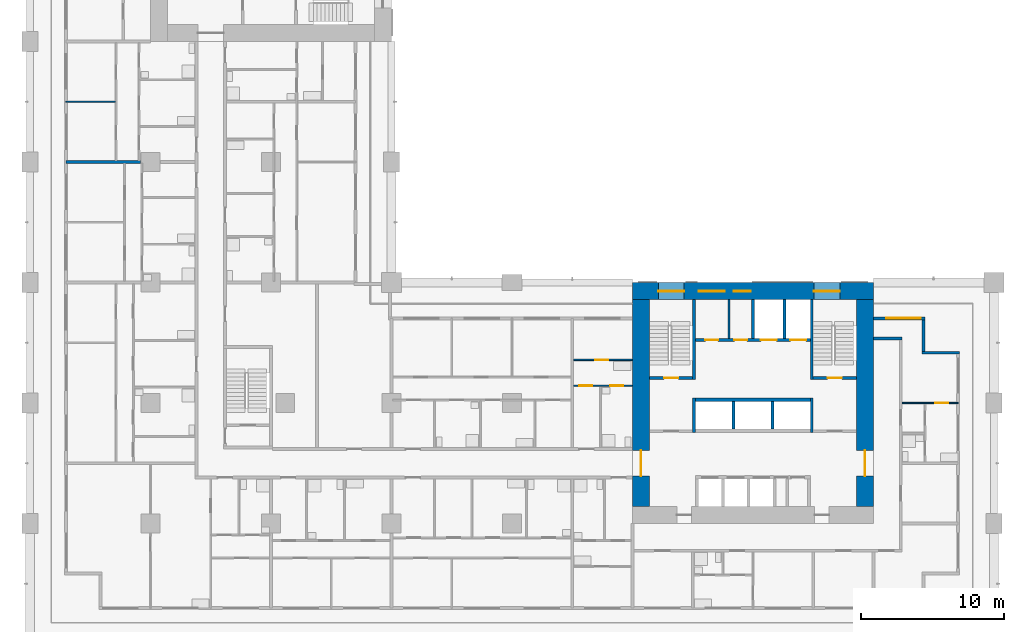
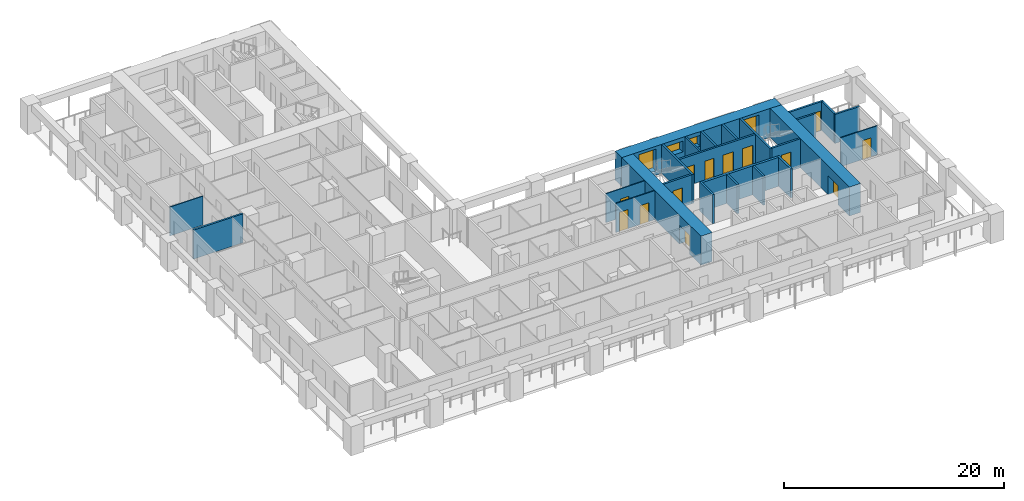
# One storey, part 7 of 19: 25 walls, 13 doors, 4 windows, 17 openings.
"""IFC4 building model written with IfcOpenShell, lengths in metres."""

import ifcopenshell
import ifcopenshell.guid

model = None  # the IFC model being written
_history = None  # IfcOwnerHistory: only IFC2X3 demands one
_inside = {}  # id of a spatial element -> (the spatial element, [elements in it])
_under = {}  # id of a project, library or spatial element -> (it, [spatial elements below it])
_declared = {}  # id of a project -> (the project, [libraries it declares])
_typed = {}  # id of a type object -> (the type object, [elements of that type])
_made_of = {}  # id of a material, layer set ... -> (it, [elements and type objects made of it])


def new_model(schema):
    """Start an empty IFC model of exactly this schema.

    Asked for "IFC4X3", IfcOpenShell would pick the latest addendum, in which some entities
    have other attributes; the version numbers below select the first issue.
    IFC2X3 requires an IfcOwnerHistory on every rooted entity: one is made here for all.
    """
    global model, _history
    if schema == "IFC4X3":
        model = ifcopenshell.file(schema_version=(4, 3, 0, 0))
    else:
        model = ifcopenshell.file(schema=schema)
    _inside.clear()
    _under.clear()
    _declared.clear()
    _typed.clear()
    _made_of.clear()
    _history = None
    if model.schema == "IFC2X3":
        org = make("IfcOrganization", Name="unknown")
        user = make(
            "IfcPersonAndOrganization",
            ThePerson=make("IfcPerson", FamilyName="unknown"),
            TheOrganization=org,
        )
        app = make(
            "IfcApplication",
            ApplicationDeveloper=org,
            Version="unknown",
            ApplicationFullName="unknown",
            ApplicationIdentifier="unknown",
        )
        _history = make(
            "IfcOwnerHistory",
            OwningUser=user,
            OwningApplication=app,
            ChangeAction="ADDED",
            CreationDate=0,
        )
    return model


def make(cls, **values):
    """One entity of the class cls with the attributes given. An attribute that is None is left unset."""
    return model.create_entity(
        cls, **{name: value for name, value in values.items() if value is not None}
    )


def rooted(cls, **values):
    """An entity with a GlobalId (a new one), such as an element, a storey or a relation."""
    return make(cls, GlobalId=ifcopenshell.guid.new(), OwnerHistory=_history, **values)


def si_unit(unit_type, name, prefix=None):
    """IfcSIUnit, for example si_unit("LENGTHUNIT", "METRE", prefix="MILLI")."""
    return make("IfcSIUnit", UnitType=unit_type, Prefix=prefix, Name=name)


def assignment(units):
    """IfcUnitAssignment: the units of a project."""
    return None if units is None else make("IfcUnitAssignment", Units=units)


def point(xyz):
    """IfcCartesianPoint."""
    return None if xyz is None else make("IfcCartesianPoint", Coordinates=xyz)


def direction(xyz):
    """IfcDirection."""
    return None if xyz is None else make("IfcDirection", DirectionRatios=xyz)


def frame(location, z_axis=None, x_axis=None):
    """IfcAxis2Placement3D, a coordinate frame: its origin and axes. An axis left out is left unset."""
    return make(
        "IfcAxis2Placement3D",
        Location=point(location),
        Axis=direction(z_axis),
        RefDirection=direction(x_axis),
    )


def frame_2d(location, x_axis=None):
    """IfcAxis2Placement2D, a coordinate frame in the plane: its origin and x axis."""
    return make(
        "IfcAxis2Placement2D", Location=point(location), RefDirection=direction(x_axis)
    )


def origin():
    """The frame at (0, 0, 0) with its axes left unset."""
    return frame((0.0, 0.0, 0.0))


def place(relative_to, where):
    """IfcLocalPlacement: puts the frame where relative to a parent placement (None: the world)."""
    return make(
        "IfcLocalPlacement", PlacementRelTo=relative_to, RelativePlacement=where
    )


def context(
    kind, dimensions, precision=None, world=None, true_north=None, identifier=None
):
    """IfcGeometricRepresentationContext, for example the 3D "Model" context."""
    return make(
        "IfcGeometricRepresentationContext",
        ContextIdentifier=identifier,
        ContextType=kind,
        CoordinateSpaceDimension=dimensions,
        Precision=precision,
        WorldCoordinateSystem=world,
        TrueNorth=true_north,
    )


def subcontext(parent, identifier, kind, view, scale=None):
    """IfcGeometricRepresentationSubContext, for example "Body" below "Model"."""
    return make(
        "IfcGeometricRepresentationSubContext",
        ContextIdentifier=identifier,
        ContextType=kind,
        ParentContext=parent,
        TargetScale=scale,
        TargetView=view,
    )


def project(units=None, contexts=None):
    """IfcProject with its units and contexts."""
    return rooted(
        "IfcProject",
        Name="project",
        RepresentationContexts=contexts,
        UnitsInContext=assignment(units),
    )


def spatial(cls, under=None, at=None, **own):
    """A site, building, storey or space (cls), placed at a placement, below another one or the project."""
    s = rooted(cls, ObjectPlacement=at, **own)
    if under is not None:
        _under.setdefault(under.id(), (under, []))[1].append(s)
    return s


def profile(cls, at=None, kind="AREA", **sizes):
    """A parametric profile (cls). Its sizes go by their IFC names, for example OverallWidth=200.0."""
    return make(cls, ProfileType=kind, Position=at, **sizes)


def rectangle(**sizes):
    """IfcRectangleProfileDef."""
    return profile("IfcRectangleProfileDef", **sizes)


def extrude(swept, where, along, depth):
    """IfcExtrudedAreaSolid: the profile swept, set in the frame where, extruded along a direction by depth."""
    return make(
        "IfcExtrudedAreaSolid",
        SweptArea=swept,
        Position=where,
        ExtrudedDirection=direction(along),
        Depth=depth,
    )


def shape(context_of_items, identifier, shape_type, items):
    """IfcShapeRepresentation: the items that make up one representation, for example the "Body"."""
    return make(
        "IfcShapeRepresentation",
        ContextOfItems=context_of_items,
        RepresentationIdentifier=identifier,
        RepresentationType=shape_type,
        Items=items,
    )


def material(Name=None, Category=None):
    """IfcMaterial."""
    return make("IfcMaterial", Name=Name, Category=Category)


def layer(
    of_material, thickness, ventilated=None, Name=None, Category=None, Priority=None
):
    """IfcMaterialLayer: one layer of a wall or slab, of a material (None: an air gap)."""
    return make(
        "IfcMaterialLayer",
        Material=of_material,
        LayerThickness=thickness,
        IsVentilated=ventilated,
        Name=Name,
        Category=Category,
        Priority=Priority,
    )


def layer_set(layers, Name=None):
    """IfcMaterialLayerSet."""
    return make("IfcMaterialLayerSet", MaterialLayers=layers, LayerSetName=Name)


def made_of(thing, what):
    """Note that an element or type object is made of a material, layer set ...; save() writes the relation."""
    if what is not None:
        _made_of.setdefault(what.id(), (what, []))[1].append(thing)
    return thing


def type_object(cls, material=None, **own):
    """A type object (cls), such as IfcWallType, which elements share."""
    return made_of(rooted(cls, **own), material)


def element(
    cls,
    number,
    at=None,
    inside=None,
    cuts=None,
    type_object=None,
    material=None,
    context=None,
    identifier="Body",
    shape_type=None,
    held_by="IfcProductDefinitionShape",
    body=None,
    shapes=None,
    **own,
):
    """One element of the class cls, such as IfcWall. Its Tag is "e" and its number.

    at: its placement. inside: the storey or other place that contains it. cuts: it is an
    opening in that element (IfcRelVoidsElement). A single representation is given by context,
    identifier, shape_type and body (its items); several are given by shapes. held_by: the class
    of the entity that holds the representations. save() writes the other relations.
    """
    e = rooted(cls, Tag="e%d" % number, ObjectPlacement=at, **own)
    if body is not None:
        shapes = [shape(context, identifier, shape_type, body)]
    if shapes is not None:
        e.Representation = make(held_by, Representations=shapes)
    if inside is not None:
        _inside.setdefault(inside.id(), (inside, []))[1].append(e)
    if cuts is not None:
        rooted(
            "IfcRelVoidsElement", RelatingBuildingElement=cuts, RelatedOpeningElement=e
        )
    if type_object is not None:
        _typed.setdefault(type_object.id(), (type_object, []))[1].append(e)
    return made_of(e, material)


def fill(opening, filler):
    """IfcRelFillsElement: the door or window that sits in an opening."""
    return rooted(
        "IfcRelFillsElement",
        RelatingOpeningElement=opening,
        RelatedBuildingElement=filler,
    )


def aggregate(whole, parts):
    """IfcRelAggregates: a whole, such as a stair, and the parts it consists of."""
    return rooted("IfcRelAggregates", RelatingObject=whole, RelatedObjects=parts)


def save(model, path):
    """Write the relations noted so far, then the file.

    IfcRelAggregates (storeys below a building ...), IfcRelContainedInSpatialStructure (elements
    in a storey), IfcRelDefinesByType, IfcRelAssociatesMaterial and IfcRelDeclares: one each for
    every whole, place, type object, material and project.
    """
    for whole, parts in _under.values():
        aggregate(whole, parts)
    for where, things in _inside.values():
        rooted(
            "IfcRelContainedInSpatialStructure",
            RelatedElements=things,
            RelatingStructure=where,
        )
    for kind, things in _typed.values():
        rooted("IfcRelDefinesByType", RelatedObjects=things, RelatingType=kind)
    for what, things in _made_of.values():
        rooted("IfcRelAssociatesMaterial", RelatedObjects=things, RelatingMaterial=what)
    for by, libraries in _declared.values():
        rooted("IfcRelDeclares", RelatingContext=by, RelatedDefinitions=libraries)
    model.write(path)


model = new_model("IFC4")

# Units and contexts
model_context = context("Model", 3, precision=1e-05, world=origin(), true_north=direction((0.0, 1.0)))
body_context = subcontext(model_context, "Body", "Model", "MODEL_VIEW")
ifc_project = project(units=[si_unit("LENGTHUNIT", "METRE"), si_unit("AREAUNIT", "SQUARE_METRE"), si_unit("VOLUMEUNIT", "CUBIC_METRE"), si_unit("PLANEANGLEUNIT", "RADIAN"), si_unit("MASSUNIT", "GRAM", prefix="KILO")], contexts=[model_context])

# Site, building, storey
site_placement = place(None, origin())
site = spatial("IfcSite", under=ifc_project, at=site_placement, CompositionType="ELEMENT")
building_placement = place(site_placement, origin())
building = spatial("IfcBuilding", under=site, at=building_placement, Name="Vermilion Gate Residences", CompositionType="ELEMENT")
storey_placement = place(building_placement, frame((0.0, 0.0, 46.199951171875)))
storey = spatial("IfcBuildingStorey", under=building, at=storey_placement, Name="L10", CompositionType="ELEMENT", Elevation=46.199951171875)

# Walls
ifc_material_1 = material(Name="Masonry blockwork", Category="masonry")
ifc_layer_1 = layer(ifc_material_1, 0.14990234375)
ifc_layer_set_1 = layer_set([ifc_layer_1], Name="BLOCKWORK PARTITION 150 EI 120")
wall_type_1 = type_object("IfcWallType", Name="BLOCKWORK PARTITION 150 EI 120", PredefinedType="PARTITIONING", material=ifc_layer_set_1)
wall_1_placement = place(storey_placement, frame((48.72509765625, 21.300048828125, 0.0), z_axis=(0.0, 0.0, 1.0), x_axis=(0.0, 1.0, 0.0)))
element("IfcWall", 1, at=wall_1_placement, inside=storey, type_object=wall_type_1, Name="Core room partition A10-NR-P0", PredefinedType="PARTITIONING", context=body_context, shape_type="SweptSolid", body=[
    extrude(rectangle(XDim=2.699951171875, YDim=0.14990234375, at=frame_2d((1.35009765625, 0.0))), origin(), (0.0, 0.0, 1.0), 3.219970703125),
])
ifc_material_2 = material(Name="Insulated steel stud wall with terracotta rainscreen", Category="masonry")
ifc_layer_2 = layer(ifc_material_2, 0.199951171875)
ifc_layer_set_2 = layer_set([ifc_layer_2], Name="EXTERNAL WALL 200 TERRACOTTA RAINSCREEN")
wall_type_2 = type_object("IfcWallType", Name="EXTERNAL WALL 200 TERRACOTTA RAINSCREEN", PredefinedType="SOLIDWALL", material=ifc_layer_set_2)
wall_2_placement = place(storey_placement, frame((64.800048828125, 20.300048828125, 0.0), z_axis=(0.0, 0.0, 1.0), x_axis=(-1.0, 0.0, 0.0)))
element("IfcWall", 2, at=wall_2_placement, inside=storey, type_object=wall_type_2, Name="External wall", PredefinedType="SOLIDWALL", context=body_context, shape_type="SweptSolid", body=[
    extrude(rectangle(XDim=2.60009765625, YDim=0.199951171875, at=frame_2d((1.300048828125, 0.0))), origin(), (0.0, 0.0, 1.0), 3.219970703125),
])
wall_3_placement = place(storey_placement, frame((62.300048828125, 20.39990234375, 0.0), z_axis=(0.0, 0.0, 1.0), x_axis=(0.0, 1.0, 0.0)))
element("IfcWall", 3, at=wall_3_placement, inside=storey, type_object=wall_type_2, Name="External wall", PredefinedType="SOLIDWALL", context=body_context, shape_type="SweptSolid", body=[
    extrude(rectangle(XDim=2.2001953125, YDim=0.199951171875, at=frame_2d((1.10009765625, 0.0))), origin(), (0.0, 0.0, 1.0), 3.219970703125),
])

# Wall, opening, door
wall_4_placement = place(storey_placement, frame((62.39990234375, 22.699951171875, 0.0), z_axis=(0.0, 0.0, 1.0), x_axis=(-1.0, 0.0, 0.0)))
wall_4 = element("IfcWall", 4, at=wall_4_placement, inside=storey, type_object=wall_type_2, Name="External wall", PredefinedType="SOLIDWALL", context=body_context, shape_type="SweptSolid", body=[
    extrude(rectangle(XDim=3.599853515625, YDim=0.199951171875, at=frame_2d((1.7998046875, 0.0))), origin(), (0.0, 0.0, 1.0), 3.219970703125),
])
opening_1_placement = place(wall_4_placement, frame((0.300048828125, 0.0, 0.0)))
opening_1 = element("IfcOpeningElement", 5, at=opening_1_placement, cuts=wall_4, Name="Opening DE10032", PredefinedType="OPENING", context=body_context, shape_type="SweptSolid", body=[
    extrude(rectangle(XDim=2.39990234375, YDim=2.199951171875, at=frame_2d((1.199951171875, 1.10009765625))), frame((0.0, 0.10986328125, 0.0), z_axis=(0.0, -1.0, 0.0), x_axis=(1.0, 0.0, 0.0)), (0.0, 0.0, 1.0), 0.219970703125),
])
ifc_material_3 = material(Name="Aluminium and clear glass", Category="aluminium")
door_type_1 = type_object("IfcDoorType", Name="SLIDING GLAZED DOOR 2400 X 2200", OperationType="DOUBLE_DOOR_SLIDING", PredefinedType="DOOR", material=ifc_material_3)
door_1_placement = place(opening_1_placement, origin())
door_1 = element("IfcDoor", 6, at=door_1_placement, inside=storey, type_object=door_type_1, Name="Loggia sliding door", OperationType="DOUBLE_DOOR_SLIDING", OverallHeight=2.199951171875, OverallWidth=2.39990234375, PredefinedType="DOOR", context=body_context, shape_type="SweptSolid", body=[
    extrude(rectangle(XDim=2.39990234375, YDim=2.199951171875, at=frame_2d((1.199951171875, 1.10009765625))), frame((0.0, 0.02490234375, 0.0), z_axis=(0.0, -1.0, 0.0), x_axis=(1.0, 0.0, 0.0)), (0.0, 0.0, 1.0), 0.050048828125),
])
fill(opening_1, door_1)

ifc_material_4 = material(Name="Plasterboard on steel studs", Category="steel")
ifc_layer_3 = layer(ifc_material_4, 0.10009765625)
ifc_layer_set_3 = layer_set([ifc_layer_3], Name="PARTITION 100")
wall_type_3 = type_object("IfcWallType", Name="PARTITION 100", PredefinedType="PARTITIONING", material=ifc_layer_set_3)
wall_5_placement = place(storey_placement, frame((60.800048828125, 16.800048828125, 0.0), z_axis=(0.0, 0.0, 1.0), x_axis=(1.0, 0.0, 0.0)))
wall_5 = element("IfcWall", 7, at=wall_5_placement, inside=storey, type_object=wall_type_3, Name="Partition", PredefinedType="PARTITIONING", context=body_context, shape_type="SweptSolid", body=[
    extrude(rectangle(XDim=3.89990234375, YDim=0.10009765625, at=frame_2d((1.949951171875, 0.0))), origin(), (0.0, 0.0, 1.0), 3.219970703125),
])
opening_2_placement = place(wall_5_placement, frame((2.300048828125, 0.0, 0.0)))
opening_2 = element("IfcOpeningElement", 8, at=opening_2_placement, cuts=wall_5, Name="Opening DA10031", PredefinedType="OPENING", context=body_context, shape_type="SweptSolid", body=[
    extrude(rectangle(XDim=0.89990234375, YDim=2.10009765625, at=frame_2d((0.449951171875, 1.050048828125))), frame((0.0, 0.06005859375, 0.0), z_axis=(0.0, -1.0, 0.0), x_axis=(1.0, 0.0, 0.0)), (0.0, 0.0, 1.0), 0.1201171875),
])
ifc_material_5 = material(Name="Timber", Category="wood")
door_type_2 = type_object("IfcDoorType", Name="INTERIOR DOOR 900 X 2100", OperationType="SINGLE_SWING_LEFT", PredefinedType="DOOR", material=ifc_material_5)
door_2_placement = place(opening_2_placement, frame((0.89990234375, 0.0, 0.0), z_axis=(0.0, 0.0, 1.0), x_axis=(-1.0, 0.0, 0.0)))
door_2 = element("IfcDoor", 9, at=door_2_placement, inside=storey, type_object=door_type_2, Name="Interior door", OperationType="SINGLE_SWING_LEFT", OverallHeight=2.10009765625, OverallWidth=0.89990234375, PredefinedType="DOOR", context=body_context, shape_type="SweptSolid", body=[
    extrude(rectangle(XDim=0.89990234375, YDim=2.10009765625, at=frame_2d((0.449951171875, 1.050048828125))), frame((0.0, 0.02490234375, 0.0), z_axis=(0.0, -1.0, 0.0), x_axis=(1.0, 0.0, 0.0)), (0.0, 0.0, 1.0), 0.050048828125),
])
fill(opening_2, door_2)

# Wall, openings, doors
wall_6_placement = place(storey_placement, frame((37.89990234375, 18.0, 0.0), z_axis=(0.0, 0.0, 1.0), x_axis=(1.0, 0.0, 0.0)))
wall_6 = element("IfcWall", 10, at=wall_6_placement, inside=storey, type_object=wall_type_3, Name="Partition", PredefinedType="PARTITIONING", context=body_context, shape_type="SweptSolid", body=[
    extrude(rectangle(XDim=4.10009765625, YDim=0.10009765625, at=frame_2d((2.050048828125, 0.0))), origin(), (0.0, 0.0, 1.0), 3.219970703125),
])
opening_3_placement = place(wall_6_placement, frame((0.39990234375, 0.0, 0.0)))
opening_3 = element("IfcOpeningElement", 11, at=opening_3_placement, cuts=wall_6, Name="Opening DA10036", PredefinedType="OPENING", context=body_context, shape_type="SweptSolid", body=[
    extrude(rectangle(XDim=0.89990234375, YDim=2.10009765625, at=frame_2d((0.449951171875, 1.050048828125))), frame((0.0, 0.06005859375, 0.0), z_axis=(0.0, -1.0, 0.0), x_axis=(1.0, 0.0, 0.0)), (0.0, 0.0, 1.0), 0.1201171875),
])
opening_4_placement = place(wall_6_placement, frame((2.56005859375, 0.0, 0.0)))
opening_4 = element("IfcOpeningElement", 12, at=opening_4_placement, cuts=wall_6, Name="Opening DA10037", PredefinedType="OPENING", context=body_context, shape_type="SweptSolid", body=[
    extrude(rectangle(XDim=0.89990234375, YDim=2.10009765625, at=frame_2d((0.449951171875, 1.050048828125))), frame((0.0, 0.06005859375, 0.0), z_axis=(0.0, -1.0, 0.0), x_axis=(1.0, 0.0, 0.0)), (0.0, 0.0, 1.0), 0.1201171875),
])
door_3_placement = place(opening_3_placement, origin())
door_3 = element("IfcDoor", 13, at=door_3_placement, inside=storey, type_object=door_type_2, Name="Interior door", OperationType="SINGLE_SWING_LEFT", OverallHeight=2.10009765625, OverallWidth=0.89990234375, PredefinedType="DOOR", context=body_context, shape_type="SweptSolid", body=[
    extrude(rectangle(XDim=0.89990234375, YDim=2.10009765625, at=frame_2d((0.449951171875, 1.050048828125))), frame((0.0, 0.02490234375, 0.0), z_axis=(0.0, -1.0, 0.0), x_axis=(1.0, 0.0, 0.0)), (0.0, 0.0, 1.0), 0.050048828125),
])
fill(opening_3, door_3)
door_4_placement = place(opening_4_placement, origin())
door_4 = element("IfcDoor", 14, at=door_4_placement, inside=storey, type_object=door_type_2, Name="Interior door", OperationType="SINGLE_SWING_RIGHT", OverallHeight=2.10009765625, OverallWidth=0.89990234375, PredefinedType="DOOR", context=body_context, shape_type="SweptSolid", body=[
    extrude(rectangle(XDim=0.89990234375, YDim=2.10009765625, at=frame_2d((0.449951171875, 1.050048828125))), frame((0.0, 0.02490234375, 0.0), z_axis=(0.0, -1.0, 0.0), x_axis=(1.0, 0.0, 0.0)), (0.0, 0.0, 1.0), 0.050048828125),
])
fill(opening_4, door_4)

# Wall, opening, door
wall_7_placement = place(storey_placement, frame((37.89990234375, 19.800048828125, 0.0), z_axis=(0.0, 0.0, 1.0), x_axis=(1.0, 0.0, 0.0)))
wall_7 = element("IfcWall", 15, at=wall_7_placement, inside=storey, type_object=wall_type_3, Name="Partition", PredefinedType="PARTITIONING", context=body_context, shape_type="SweptSolid", body=[
    extrude(rectangle(XDim=4.10009765625, YDim=0.10009765625, at=frame_2d((2.050048828125, 0.0))), origin(), (0.0, 0.0, 1.0), 3.219970703125),
])
opening_5_placement = place(wall_7_placement, frame((1.5, 0.0, 0.0)))
opening_5 = element("IfcOpeningElement", 16, at=opening_5_placement, cuts=wall_7, Name="Opening DA10041", PredefinedType="OPENING", context=body_context, shape_type="SweptSolid", body=[
    extrude(rectangle(XDim=0.89990234375, YDim=2.10009765625, at=frame_2d((0.449951171875, 1.050048828125))), frame((0.0, 0.06005859375, 0.0), z_axis=(0.0, -1.0, 0.0), x_axis=(1.0, 0.0, 0.0)), (0.0, 0.0, 1.0), 0.1201171875),
])
door_5_placement = place(opening_5_placement, frame((0.89990234375, 0.0, 0.0), z_axis=(0.0, 0.0, 1.0), x_axis=(-1.0, 0.0, 0.0)))
door_5 = element("IfcDoor", 17, at=door_5_placement, inside=storey, type_object=door_type_2, Name="Interior door", OperationType="SINGLE_SWING_LEFT", OverallHeight=2.10009765625, OverallWidth=0.89990234375, PredefinedType="DOOR", context=body_context, shape_type="SweptSolid", body=[
    extrude(rectangle(XDim=0.89990234375, YDim=2.10009765625, at=frame_2d((0.449951171875, 1.050048828125))), frame((0.0, 0.02490234375, 0.0), z_axis=(0.0, -1.0, 0.0), x_axis=(1.0, 0.0, 0.0)), (0.0, 0.0, 1.0), 0.050048828125),
])
fill(opening_5, door_5)

# Walls
wall_8_placement = place(storey_placement, frame((2.5, 37.800048828125, 0.0), z_axis=(0.0, 0.0, 1.0), x_axis=(1.0, 0.0, 0.0)))
element("IfcWall", 18, at=wall_8_placement, inside=storey, type_object=wall_type_3, Name="Partition", PredefinedType="PARTITIONING", context=body_context, shape_type="SweptSolid", body=[
    extrude(rectangle(XDim=3.449951171875, YDim=0.10009765625, at=frame_2d((1.72509765625, 0.0))), origin(), (0.0, 0.0, 1.0), 3.219970703125),
])
ifc_material_6 = material(Name="Fire-rated plasterboard on steel studs", Category="steel")
ifc_layer_4 = layer(ifc_material_6, 0.199951171875)
ifc_layer_set_4 = layer_set([ifc_layer_4], Name="PARTY WALL 200 EI 120")
wall_type_4 = type_object("IfcWallType", Name="PARTY WALL 200 EI 120", PredefinedType="PARTITIONING", material=ifc_layer_set_4)
wall_9_placement = place(storey_placement, frame((58.800048828125, 21.300048828125, 0.0), z_axis=(0.0, 0.0, 1.0), x_axis=(1.0, 0.0, 0.0)))
element("IfcWall", 19, at=wall_9_placement, inside=storey, type_object=wall_type_4, Name="Party and corridor wall", PredefinedType="PARTITIONING", context=body_context, shape_type="SweptSolid", body=[
    extrude(rectangle(XDim=2.0, YDim=0.199951171875, at=frame_2d((1.0, 0.0))), origin(), (0.0, 0.0, 1.0), 3.219970703125),
])
wall_10_placement = place(storey_placement, frame((2.5, 33.60009765625, 0.0), z_axis=(0.0, 0.0, 1.0), x_axis=(1.0, 0.0, 0.0)))
element("IfcWall", 20, at=wall_10_placement, inside=storey, type_object=wall_type_4, Name="Party and corridor wall", PredefinedType="PARTITIONING", context=body_context, shape_type="SweptSolid", body=[
    extrude(rectangle(XDim=5.199951171875, YDim=0.199951171875, at=frame_2d((2.60009765625, 0.0))), origin(), (0.0, 0.0, 1.0), 3.219970703125),
])
ifc_material_7 = material(Name="Concrete C60", Category="concrete")
ifc_layer_5 = layer(ifc_material_7, 0.199951171875)
ifc_layer_set_5 = layer_set([ifc_layer_5], Name="RC CORE INTERNAL WALL 200 C60")
wall_type_5 = type_object("IfcWallType", Name="RC CORE INTERNAL WALL 200 C60", PredefinedType="SHEAR", material=ifc_layer_set_5)
for number, where, z_axis, x_axis, name in (
    (21, (49.033447265625, 15.0, 0.0), (0.0, 0.0, 1.0), (0.0, 1.0, 0.0), "Core internal wall A10-HR-D1"),
    (22, (51.7666015625, 15.0, 0.0), (0.0, 0.0, 1.0), (0.0, 1.0, 0.0), "Core internal wall A10-HR-D2"),
):
    element("IfcWall", number, at=place(storey_placement, frame(where, z_axis=z_axis, x_axis=x_axis)), inside=storey, type_object=wall_type_5, Name=name, PredefinedType="SHEAR", context=body_context, shape_type="SweptSolid", body=[
        extrude(rectangle(XDim=1.89990234375, YDim=0.199951171875, at=frame_2d((0.949951171875, 0.0))), origin(), (0.0, 0.0, 1.0), 3.219970703125),
    ])
for number, where, z_axis, x_axis, name in (
    (23, (50.39990234375, 21.300048828125, 0.0), (0.0, 0.0, 1.0), (0.0, 1.0, 0.0), "Core internal wall A10-FF-D0"),
    (24, (52.60009765625, 21.300048828125, 0.0), (0.0, 0.0, 1.0), (0.0, 1.0, 0.0), "Core internal wall A10-FF-D1"),
):
    element("IfcWall", number, at=place(storey_placement, frame(where, z_axis=z_axis, x_axis=x_axis)), inside=storey, type_object=wall_type_5, Name=name, PredefinedType="SHEAR", context=body_context, shape_type="SweptSolid", body=[
        extrude(rectangle(XDim=2.699951171875, YDim=0.199951171875, at=frame_2d((1.35009765625, 0.0))), origin(), (0.0, 0.0, 1.0), 3.219970703125),
    ])

# Wall, openings, doors
wall_11_placement = place(storey_placement, frame((46.39990234375, 21.199951171875, 0.0), z_axis=(0.0, 0.0, 1.0), x_axis=(1.0, 0.0, 0.0)))
wall_11 = element("IfcWall", 25, at=wall_11_placement, inside=storey, type_object=wall_type_5, Name="Core internal wall A10-FF-F", PredefinedType="SHEAR", context=body_context, shape_type="SweptSolid", body=[
    extrude(rectangle(XDim=8.0, YDim=0.199951171875, at=frame_2d((4.0, 0.0))), origin(), (0.0, 0.0, 1.0), 3.219970703125),
])
opening_6_placement = place(wall_11_placement, frame((0.675048828125, 0.0, 0.0)))
opening_6 = element("IfcOpeningElement", 26, at=opening_6_placement, cuts=wall_11, Name="Opening DK10010", PredefinedType="OPENING", context=body_context, shape_type="SweptSolid", body=[
    extrude(rectangle(XDim=0.89990234375, YDim=2.10009765625, at=frame_2d((0.449951171875, 1.050048828125))), frame((0.0, 0.10986328125, 0.0), z_axis=(0.0, -1.0, 0.0), x_axis=(1.0, 0.0, 0.0)), (0.0, 0.0, 1.0), 0.219970703125),
])
opening_7_placement = place(wall_11_placement, frame((2.699951171875, 0.0, 0.0)))
opening_7 = element("IfcOpeningElement", 27, at=opening_7_placement, cuts=wall_11, Name="Opening DK10011", PredefinedType="OPENING", context=body_context, shape_type="SweptSolid", body=[
    extrude(rectangle(XDim=0.89990234375, YDim=2.10009765625, at=frame_2d((0.449951171875, 1.050048828125))), frame((0.0, 0.10986328125, 0.0), z_axis=(0.0, -1.0, 0.0), x_axis=(1.0, 0.0, 0.0)), (0.0, 0.0, 1.0), 0.219970703125),
])
opening_8_placement = place(wall_11_placement, frame((4.550048828125, 0.0, 0.0)))
opening_8 = element("IfcOpeningElement", 28, at=opening_8_placement, cuts=wall_11, Name="Opening LD", PredefinedType="OPENING", context=body_context, shape_type="SweptSolid", body=[
    extrude(rectangle(XDim=1.10009765625, YDim=2.10009765625, at=frame_2d((0.550048828125, 1.050048828125))), frame((0.0, 0.10986328125, 0.0), z_axis=(0.0, -1.0, 0.0), x_axis=(1.0, 0.0, 0.0)), (0.0, 0.0, 1.0), 0.219970703125),
])
opening_9_placement = place(wall_11_placement, frame((6.60009765625, 0.0, 0.0)))
opening_9 = element("IfcOpeningElement", 29, at=opening_9_placement, cuts=wall_11, Name="Opening LD", PredefinedType="OPENING", context=body_context, shape_type="SweptSolid", body=[
    extrude(rectangle(XDim=1.10009765625, YDim=2.10009765625, at=frame_2d((0.550048828125, 1.050048828125))), frame((0.0, 0.10986328125, 0.0), z_axis=(0.0, -1.0, 0.0), x_axis=(1.0, 0.0, 0.0)), (0.0, 0.0, 1.0), 0.219970703125),
])
ifc_material_8 = material(Name="Stainless steel", Category="steel")
door_type_3 = type_object("IfcDoorType", Name="LIFT LANDING DOOR E60 1100 X 2100", OperationType="DOUBLE_DOOR_SLIDING", PredefinedType="DOOR", material=ifc_material_8)
door_6_placement = place(opening_8_placement, origin())
door_6 = element("IfcDoor", 30, at=door_6_placement, inside=storey, type_object=door_type_3, Name="Lift landing door LFA1", OperationType="DOUBLE_DOOR_SLIDING", OverallHeight=2.10009765625, OverallWidth=1.10009765625, PredefinedType="DOOR", context=body_context, shape_type="SweptSolid", body=[
    extrude(rectangle(XDim=1.10009765625, YDim=2.10009765625, at=frame_2d((0.550048828125, 1.050048828125))), frame((0.0, 0.02490234375, 0.0), z_axis=(0.0, -1.0, 0.0), x_axis=(1.0, 0.0, 0.0)), (0.0, 0.0, 1.0), 0.050048828125),
])
fill(opening_8, door_6)
door_7_placement = place(opening_9_placement, origin())
door_7 = element("IfcDoor", 31, at=door_7_placement, inside=storey, type_object=door_type_3, Name="Lift landing door LCA1", OperationType="DOUBLE_DOOR_SLIDING", OverallHeight=2.10009765625, OverallWidth=1.10009765625, PredefinedType="DOOR", context=body_context, shape_type="SweptSolid", body=[
    extrude(rectangle(XDim=1.10009765625, YDim=2.10009765625, at=frame_2d((0.550048828125, 1.050048828125))), frame((0.0, 0.02490234375, 0.0), z_axis=(0.0, -1.0, 0.0), x_axis=(1.0, 0.0, 0.0)), (0.0, 0.0, 1.0), 0.050048828125),
])
fill(opening_9, door_7)
ifc_material_9 = material(Name="Steel", Category="steel")
door_type_4 = type_object("IfcDoorType", Name="SERVICE ROOM DOOR FD60 900 X 2100", OperationType="SINGLE_SWING_LEFT", PredefinedType="DOOR", material=ifc_material_9)
door_8_placement = place(opening_6_placement, origin())
door_8 = element("IfcDoor", 32, at=door_8_placement, inside=storey, type_object=door_type_4, Name="Parcel room A10", OperationType="SINGLE_SWING_LEFT", OverallHeight=2.10009765625, OverallWidth=0.89990234375, PredefinedType="DOOR", context=body_context, shape_type="SweptSolid", body=[
    extrude(rectangle(XDim=0.89990234375, YDim=2.10009765625, at=frame_2d((0.449951171875, 1.050048828125))), frame((0.0, 0.02490234375, 0.0), z_axis=(0.0, -1.0, 0.0), x_axis=(1.0, 0.0, 0.0)), (0.0, 0.0, 1.0), 0.050048828125),
])
fill(opening_6, door_8)
door_9_placement = place(opening_7_placement, frame((0.89990234375, 0.0, 0.0), z_axis=(0.0, 0.0, 1.0), x_axis=(-1.0, 0.0, 0.0)))
door_9 = element("IfcDoor", 33, at=door_9_placement, inside=storey, type_object=door_type_4, Name="Electrical room A10", OperationType="SINGLE_SWING_RIGHT", OverallHeight=2.10009765625, OverallWidth=0.89990234375, PredefinedType="DOOR", context=body_context, shape_type="SweptSolid", body=[
    extrude(rectangle(XDim=0.89990234375, YDim=2.10009765625, at=frame_2d((0.449951171875, 1.050048828125))), frame((0.0, 0.02490234375, 0.0), z_axis=(0.0, -1.0, 0.0), x_axis=(1.0, 0.0, 0.0)), (0.0, 0.0, 1.0), 0.050048828125),
])
fill(opening_7, door_9)

# Walls
wall_12_placement = place(storey_placement, frame((46.300048828125, 14.75, 0.0), z_axis=(0.0, 0.0, 1.0), x_axis=(0.0, 1.0, 0.0)))
element("IfcWall", 34, at=wall_12_placement, inside=storey, type_object=wall_type_5, Name="Core internal wall A10-WDIV1", PredefinedType="SHEAR", context=body_context, shape_type="SweptSolid", body=[
    extrude(rectangle(XDim=2.39990234375, YDim=0.199951171875, at=frame_2d((1.199951171875, 0.0))), origin(), (0.0, 0.0, 1.0), 3.219970703125),
])
wall_13_placement = place(storey_placement, frame((46.300048828125, 18.449951171875, 0.0), z_axis=(0.0, 0.0, 1.0), x_axis=(0.0, 1.0, 0.0)))
element("IfcWall", 35, at=wall_13_placement, inside=storey, type_object=wall_type_5, Name="Core internal wall A10-WDIV2", PredefinedType="SHEAR", context=body_context, shape_type="SweptSolid", body=[
    extrude(rectangle(XDim=5.550048828125, YDim=0.199951171875, at=frame_2d((2.77490234375, 0.0))), origin(), (0.0, 0.0, 1.0), 3.219970703125),
])

# Wall, opening, door
wall_14_placement = place(storey_placement, frame((43.199951171875, 18.550048828125, 0.0), z_axis=(0.0, 0.0, 1.0), x_axis=(1.0, 0.0, 0.0)))
wall_14 = element("IfcWall", 36, at=wall_14_placement, inside=storey, type_object=wall_type_5, Name="Core internal wall A10-STW-S", PredefinedType="SHEAR", context=body_context, shape_type="SweptSolid", body=[
    extrude(rectangle(XDim=3.0, YDim=0.199951171875, at=frame_2d((1.5, 0.0))), origin(), (0.0, 0.0, 1.0), 3.219970703125),
])
opening_10_placement = place(wall_14_placement, frame((1.0, 0.0, 0.0)))
opening_10 = element("IfcOpeningElement", 37, at=opening_10_placement, cuts=wall_14, Name="Opening DK10015", PredefinedType="OPENING", context=body_context, shape_type="SweptSolid", body=[
    extrude(rectangle(XDim=1.0, YDim=2.10009765625, at=frame_2d((0.5, 1.050048828125))), frame((0.0, 0.10986328125, 0.0), z_axis=(0.0, -1.0, 0.0), x_axis=(1.0, 0.0, 0.0)), (0.0, 0.0, 1.0), 0.219970703125),
])
ifc_material_10 = material(Name="Steel", Category="steel")
door_type_5 = type_object("IfcDoorType", Name="FIRE DOOR FD60 1000 X 2100", OperationType="SINGLE_SWING_LEFT", PredefinedType="DOOR", material=ifc_material_10)
door_10_placement = place(opening_10_placement, origin())
door_10 = element("IfcDoor", 38, at=door_10_placement, inside=storey, type_object=door_type_5, Name="Stair door A10", OperationType="SINGLE_SWING_LEFT", OverallHeight=2.10009765625, OverallWidth=1.0, PredefinedType="DOOR", context=body_context, shape_type="SweptSolid", body=[
    extrude(rectangle(XDim=1.0, YDim=2.10009765625, at=frame_2d((0.5, 1.050048828125))), frame((0.0, 0.02490234375, 0.0), z_axis=(0.0, -1.0, 0.0), x_axis=(1.0, 0.0, 0.0)), (0.0, 0.0, 1.0), 0.050048828125),
])
fill(opening_10, door_10)

# Walls
wall_15_placement = place(storey_placement, frame((54.5, 14.75, 0.0), z_axis=(0.0, 0.0, 1.0), x_axis=(0.0, 1.0, 0.0)))
element("IfcWall", 39, at=wall_15_placement, inside=storey, type_object=wall_type_5, Name="Core internal wall A10-EDIV1", PredefinedType="SHEAR", context=body_context, shape_type="SweptSolid", body=[
    extrude(rectangle(XDim=2.39990234375, YDim=0.199951171875, at=frame_2d((1.199951171875, 0.0))), origin(), (0.0, 0.0, 1.0), 3.219970703125),
])
wall_16_placement = place(storey_placement, frame((54.5, 18.449951171875, 0.0), z_axis=(0.0, 0.0, 1.0), x_axis=(0.0, 1.0, 0.0)))
element("IfcWall", 40, at=wall_16_placement, inside=storey, type_object=wall_type_5, Name="Core internal wall A10-EDIV2", PredefinedType="SHEAR", context=body_context, shape_type="SweptSolid", body=[
    extrude(rectangle(XDim=5.550048828125, YDim=0.199951171875, at=frame_2d((2.77490234375, 0.0))), origin(), (0.0, 0.0, 1.0), 3.219970703125),
])

# Wall, opening, door
wall_17_placement = place(storey_placement, frame((54.60009765625, 18.550048828125, 0.0), z_axis=(0.0, 0.0, 1.0), x_axis=(1.0, 0.0, 0.0)))
wall_17 = element("IfcWall", 41, at=wall_17_placement, inside=storey, type_object=wall_type_5, Name="Core internal wall A10-STE-S", PredefinedType="SHEAR", context=body_context, shape_type="SweptSolid", body=[
    extrude(rectangle(XDim=3.0, YDim=0.199951171875, at=frame_2d((1.5, 0.0))), origin(), (0.0, 0.0, 1.0), 3.219970703125),
])
opening_11_placement = place(wall_17_placement, frame((1.0, 0.0, 0.0)))
opening_11 = element("IfcOpeningElement", 42, at=opening_11_placement, cuts=wall_17, Name="Opening DK10017", PredefinedType="OPENING", context=body_context, shape_type="SweptSolid", body=[
    extrude(rectangle(XDim=1.0, YDim=2.10009765625, at=frame_2d((0.5, 1.050048828125))), frame((0.0, 0.10986328125, 0.0), z_axis=(0.0, -1.0, 0.0), x_axis=(1.0, 0.0, 0.0)), (0.0, 0.0, 1.0), 0.219970703125),
])
door_11_placement = place(opening_11_placement, origin())
door_11 = element("IfcDoor", 43, at=door_11_placement, inside=storey, type_object=door_type_5, Name="Stair door A10", OperationType="SINGLE_SWING_LEFT", OverallHeight=2.10009765625, OverallWidth=1.0, PredefinedType="DOOR", context=body_context, shape_type="SweptSolid", body=[
    extrude(rectangle(XDim=1.0, YDim=2.10009765625, at=frame_2d((0.5, 1.050048828125))), frame((0.0, 0.02490234375, 0.0), z_axis=(0.0, -1.0, 0.0), x_axis=(1.0, 0.0, 0.0)), (0.0, 0.0, 1.0), 0.050048828125),
])
fill(opening_11, door_11)

ifc_material_11 = material(Name="Concrete C80", Category="concrete")
ifc_layer_6 = layer(ifc_material_11, 1.199951171875)
ifc_layer_set_6 = layer_set([ifc_layer_6], Name="RC CORE WALL 1200 C80")
wall_type_6 = type_object("IfcWallType", Name="RC CORE WALL 1200 C80", PredefinedType="SHEAR", material=ifc_layer_set_6)
wall_18_placement = place(storey_placement, frame((42.60009765625, 9.60009765625, 0.0), z_axis=(0.0, 0.0, 1.0), x_axis=(0.0, 1.0, 0.0)))
wall_18 = element("IfcWall", 44, at=wall_18_placement, inside=storey, type_object=wall_type_6, Name="Core wall A10-OUT-FR", PredefinedType="SHEAR", context=body_context, shape_type="SweptSolid", body=[
    extrude(rectangle(XDim=14.39990234375, YDim=1.199951171875, at=frame_2d((7.199951171875, 0.0))), origin(), (0.0, 0.0, 1.0), 3.219970703125),
])
opening_12_placement = place(wall_18_placement, frame((2.10009765625, 0.0, 0.0)))
opening_12 = element("IfcOpeningElement", 45, at=opening_12_placement, cuts=wall_18, Name="Opening DK10003", PredefinedType="OPENING", context=body_context, shape_type="SweptSolid", body=[
    extrude(rectangle(XDim=1.800048828125, YDim=2.10009765625, at=frame_2d((0.89990234375, 1.050048828125))), frame((0.0, 0.60986328125, 0.0), z_axis=(0.0, -1.0, 0.0), x_axis=(1.0, 0.0, 0.0)), (0.0, 0.0, 1.0), 1.219970703125),
])
ifc_material_12 = material(Name="Steel", Category="steel")
door_type_6 = type_object("IfcDoorType", Name="CORE LOBBY DOOR FD60 1800 X 2100", OperationType="DOUBLE_DOOR_SINGLE_SWING", PredefinedType="DOOR", material=ifc_material_12)
door_12_placement = place(opening_12_placement, frame((1.800048828125, 0.0, 0.0), z_axis=(0.0, 0.0, 1.0), x_axis=(-1.0, 0.0, 0.0)))
door_12 = element("IfcDoor", 46, at=door_12_placement, inside=storey, type_object=door_type_6, Name="Core lobby door A10", OperationType="DOUBLE_DOOR_SINGLE_SWING", OverallHeight=2.10009765625, OverallWidth=1.800048828125, PredefinedType="DOOR", context=body_context, shape_type="SweptSolid", body=[
    extrude(rectangle(XDim=1.800048828125, YDim=2.10009765625, at=frame_2d((0.89990234375, 1.050048828125))), frame((0.0, 0.02490234375, 0.0), z_axis=(0.0, -1.0, 0.0), x_axis=(1.0, 0.0, 0.0)), (0.0, 0.0, 1.0), 0.050048828125),
])
fill(opening_12, door_12)

wall_19_placement = place(storey_placement, frame((58.199951171875, 9.60009765625, 0.0), z_axis=(0.0, 0.0, 1.0), x_axis=(0.0, 1.0, 0.0)))
wall_19 = element("IfcWall", 47, at=wall_19_placement, inside=storey, type_object=wall_type_6, Name="Core wall A10-OUT-BK", PredefinedType="SHEAR", context=body_context, shape_type="SweptSolid", body=[
    extrude(rectangle(XDim=14.39990234375, YDim=1.199951171875, at=frame_2d((7.199951171875, 0.0))), origin(), (0.0, 0.0, 1.0), 3.219970703125),
])
opening_13_placement = place(wall_19_placement, frame((2.10009765625, 0.0, 0.0)))
opening_13 = element("IfcOpeningElement", 48, at=opening_13_placement, cuts=wall_19, Name="Opening DK10004", PredefinedType="OPENING", context=body_context, shape_type="SweptSolid", body=[
    extrude(rectangle(XDim=1.800048828125, YDim=2.10009765625, at=frame_2d((0.89990234375, 1.050048828125))), frame((0.0, 0.60986328125, 0.0), z_axis=(0.0, -1.0, 0.0), x_axis=(1.0, 0.0, 0.0)), (0.0, 0.0, 1.0), 1.219970703125),
])
door_13_placement = place(opening_13_placement, origin())
door_13 = element("IfcDoor", 49, at=door_13_placement, inside=storey, type_object=door_type_6, Name="Core lobby door A10", OperationType="DOUBLE_DOOR_SINGLE_SWING", OverallHeight=2.10009765625, OverallWidth=1.800048828125, PredefinedType="DOOR", context=body_context, shape_type="SweptSolid", body=[
    extrude(rectangle(XDim=1.800048828125, YDim=2.10009765625, at=frame_2d((0.89990234375, 1.050048828125))), frame((0.0, 0.02490234375, 0.0), z_axis=(0.0, -1.0, 0.0), x_axis=(1.0, 0.0, 0.0)), (0.0, 0.0, 1.0), 0.050048828125),
])
fill(opening_13, door_13)

# Wall, openings, windows
ifc_material_13 = material(Name="Concrete C80 red-oxide pigmented", Category="concrete")
ifc_layer_7 = layer(ifc_material_13, 1.199951171875)
ifc_layer_set_7 = layer_set([ifc_layer_7], Name="RC CORE WALL 1200 C80 RED OXIDE")
wall_type_7 = type_object("IfcWallType", Name="RC CORE WALL 1200 C80 RED OXIDE", PredefinedType="SHEAR", material=ifc_layer_set_7)
wall_20_placement = place(storey_placement, frame((42.0, 24.60009765625, 0.0), z_axis=(0.0, 0.0, 1.0), x_axis=(1.0, 0.0, 0.0)))
wall_20 = element("IfcWall", 50, at=wall_20_placement, inside=storey, type_object=wall_type_7, Name="Core wall A10-OUT-B1", PredefinedType="SHEAR", context=body_context, shape_type="SweptSolid", body=[
    extrude(rectangle(XDim=16.800048828125, YDim=1.199951171875, at=frame_2d((8.39990234375, 0.0))), origin(), (0.0, 0.0, 1.0), 3.219970703125),
])
opening_14_placement = place(wall_20_placement, frame((1.800048828125, 0.0, 0.5)))
opening_14 = element("IfcOpeningElement", 51, at=opening_14_placement, cuts=wall_20, Name="Opening WKA1001", PredefinedType="OPENING", context=body_context, shape_type="SweptSolid", body=[
    extrude(rectangle(XDim=1.800048828125, YDim=2.39990234375, at=frame_2d((0.89990234375, 1.199951171875))), frame((0.0, 0.60986328125, 0.0), z_axis=(0.0, -1.0, 0.0), x_axis=(1.0, 0.0, 0.0)), (0.0, 0.0, 1.0), 1.219970703125),
])
opening_15_placement = place(wall_20_placement, frame((4.625, 0.0, 1.60009765625)))
opening_15 = element("IfcOpeningElement", 52, at=opening_15_placement, cuts=wall_20, Name="Opening WKA1002", PredefinedType="OPENING", context=body_context, shape_type="SweptSolid", body=[
    extrude(rectangle(XDim=1.800048828125, YDim=1.199951171875, at=frame_2d((0.89990234375, 0.60009765625))), frame((0.0, 0.60986328125, 0.0), z_axis=(0.0, -1.0, 0.0), x_axis=(1.0, 0.0, 0.0)), (0.0, 0.0, 1.0), 1.219970703125),
])
opening_16_placement = place(wall_20_placement, frame((7.050048828125, 0.0, 1.60009765625)))
opening_16 = element("IfcOpeningElement", 53, at=opening_16_placement, cuts=wall_20, Name="Opening WKA1003", PredefinedType="OPENING", context=body_context, shape_type="SweptSolid", body=[
    extrude(rectangle(XDim=1.199951171875, YDim=1.199951171875, at=frame_2d((0.60009765625, 0.60009765625))), frame((0.0, 0.60986328125, 0.0), z_axis=(0.0, -1.0, 0.0), x_axis=(1.0, 0.0, 0.0)), (0.0, 0.0, 1.0), 1.219970703125),
])
opening_17_placement = place(wall_20_placement, frame((12.64990234375, 0.0, 0.5)))
opening_17 = element("IfcOpeningElement", 54, at=opening_17_placement, cuts=wall_20, Name="Opening WKA1004", PredefinedType="OPENING", context=body_context, shape_type="SweptSolid", body=[
    extrude(rectangle(XDim=1.800048828125, YDim=2.39990234375, at=frame_2d((0.89990234375, 1.199951171875))), frame((0.0, 0.60986328125, 0.0), z_axis=(0.0, -1.0, 0.0), x_axis=(1.0, 0.0, 0.0)), (0.0, 0.0, 1.0), 1.219970703125),
])
ifc_material_14 = material(Name="Aluminium frame with louvre blades", Category="aluminium")
window_type_1 = type_object("IfcWindowType", Name="CORE LOUVRE 1200 X 1200", PartitioningType="SINGLE_PANEL", PredefinedType="WINDOW", material=ifc_material_14)
window_1_placement = place(opening_16_placement, origin())
window_1 = element("IfcWindow", 55, at=window_1_placement, inside=storey, type_object=window_type_1, Name="Core louvre", OverallHeight=1.199951171875, OverallWidth=1.199951171875, PartitioningType="SINGLE_PANEL", PredefinedType="WINDOW", context=body_context, shape_type="SweptSolid", body=[
    extrude(rectangle(XDim=1.199951171875, YDim=1.199951171875, at=frame_2d((0.60009765625, 0.60009765625))), frame((0.0, 0.030029296875, 0.0), z_axis=(0.0, -1.0, 0.0), x_axis=(1.0, 0.0, 0.0)), (0.0, 0.0, 1.0), 0.06005859375),
])
fill(opening_16, window_1)
ifc_material_15 = material(Name="Aluminium frame with louvre blades", Category="aluminium")
window_type_2 = type_object("IfcWindowType", Name="CORE LOUVRE 1800 X 1200", PartitioningType="SINGLE_PANEL", PredefinedType="WINDOW", material=ifc_material_15)
window_2_placement = place(opening_15_placement, origin())
window_2 = element("IfcWindow", 56, at=window_2_placement, inside=storey, type_object=window_type_2, Name="Core louvre", OverallHeight=1.199951171875, OverallWidth=1.800048828125, PartitioningType="SINGLE_PANEL", PredefinedType="WINDOW", context=body_context, shape_type="SweptSolid", body=[
    extrude(rectangle(XDim=1.800048828125, YDim=1.199951171875, at=frame_2d((0.89990234375, 0.60009765625))), frame((0.0, 0.030029296875, 0.0), z_axis=(0.0, -1.0, 0.0), x_axis=(1.0, 0.0, 0.0)), (0.0, 0.0, 1.0), 0.06005859375),
])
fill(opening_15, window_2)
ifc_material_16 = material(Name="Aluminium and clear glass", Category="aluminium")
window_type_3 = type_object("IfcWindowType", Name="CORE STAIR WINDOW 1800 X 2400", PartitioningType="SINGLE_PANEL", PredefinedType="WINDOW", material=ifc_material_16)
window_3_placement = place(opening_14_placement, origin())
window_3 = element("IfcWindow", 57, at=window_3_placement, inside=storey, type_object=window_type_3, Name="Core stair window", OverallHeight=2.39990234375, OverallWidth=1.800048828125, PartitioningType="SINGLE_PANEL", PredefinedType="WINDOW", context=body_context, shape_type="SweptSolid", body=[
    extrude(rectangle(XDim=1.800048828125, YDim=2.39990234375, at=frame_2d((0.89990234375, 1.199951171875))), frame((0.0, 0.030029296875, 0.0), z_axis=(0.0, -1.0, 0.0), x_axis=(1.0, 0.0, 0.0)), (0.0, 0.0, 1.0), 0.06005859375),
])
fill(opening_14, window_3)
window_4_placement = place(opening_17_placement, origin())
window_4 = element("IfcWindow", 58, at=window_4_placement, inside=storey, type_object=window_type_3, Name="Core stair window", OverallHeight=2.39990234375, OverallWidth=1.800048828125, PartitioningType="SINGLE_PANEL", PredefinedType="WINDOW", context=body_context, shape_type="SweptSolid", body=[
    extrude(rectangle(XDim=1.800048828125, YDim=2.39990234375, at=frame_2d((0.89990234375, 1.199951171875))), frame((0.0, 0.030029296875, 0.0), z_axis=(0.0, -1.0, 0.0), x_axis=(1.0, 0.0, 0.0)), (0.0, 0.0, 1.0), 0.06005859375),
])
fill(opening_17, window_4)

# Wall
ifc_material_17 = material(Name="Concrete C60", Category="concrete")
ifc_layer_8 = layer(ifc_material_17, 0.25)
ifc_layer_set_8 = layer_set([ifc_layer_8], Name="RC LIFT SHAFT WALL 250 C60")
wall_type_8 = type_object("IfcWallType", Name="RC LIFT SHAFT WALL 250 C60", PredefinedType="SHEAR", material=ifc_layer_set_8)
wall_21_placement = place(storey_placement, frame((46.39990234375, 17.02490234375, 0.0), z_axis=(0.0, 0.0, 1.0), x_axis=(1.0, 0.0, 0.0)))
element("IfcWall", 59, at=wall_21_placement, inside=storey, type_object=wall_type_8, Name="Lift shaft wall A10-HR-B", PredefinedType="SHEAR", context=body_context, shape_type="SweptSolid", body=[
    extrude(rectangle(XDim=8.0, YDim=0.25, at=frame_2d((4.0, 0.0))), origin(), (0.0, 0.0, 1.0), 3.219970703125),
])

save(model, "model.ifc")
